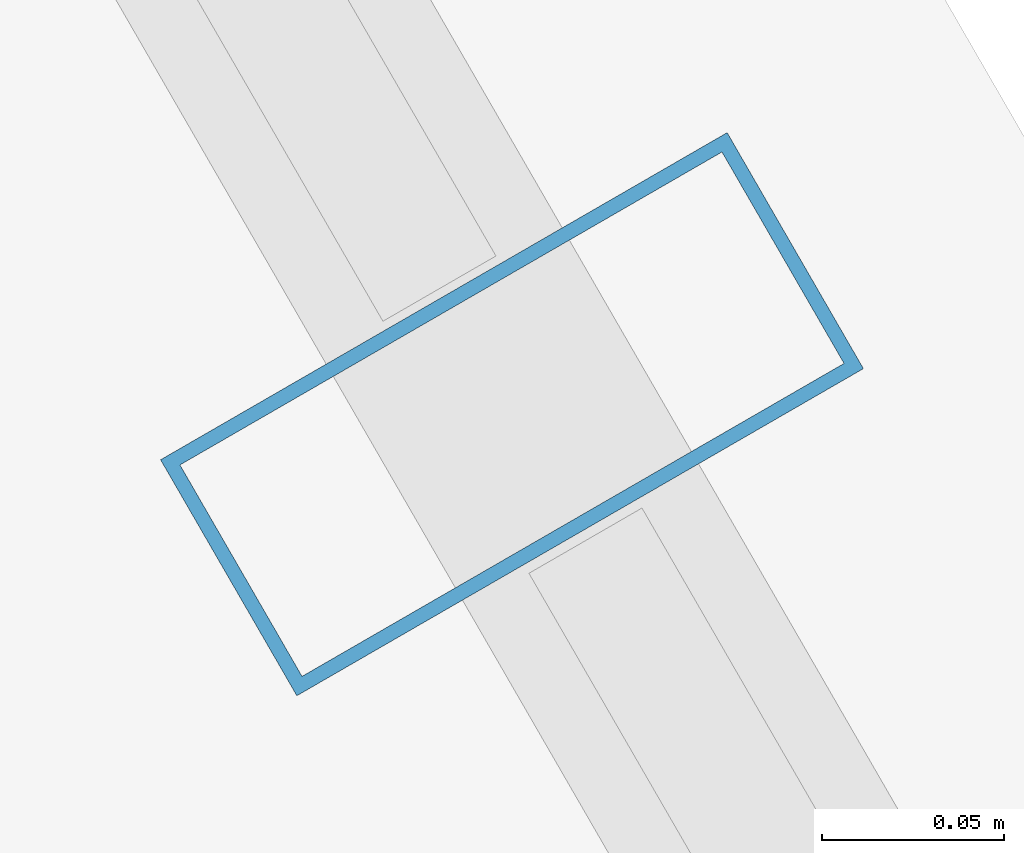
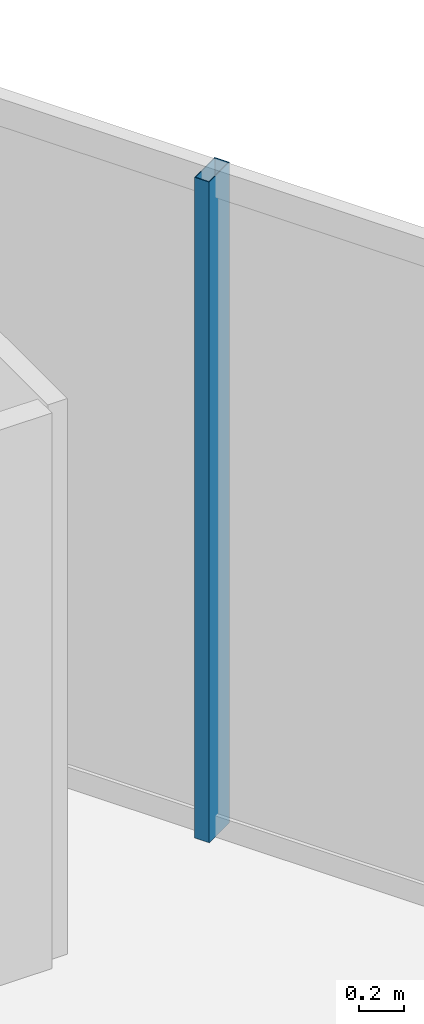
# One storey, part 15 of 30: 1 member, 1 element without a shape of its own.
"""IFC4 building model written with IfcOpenShell, lengths in metres."""

from ifc_helpers import new_model, si_unit, direction, frame, origin, origin_2d, place, context, subcontext, project, spatial, hollow_rectangle, extrude, material, layer, layer_set, material_profile, profile_set, type_object, element, aggregate, save


model = new_model("IFC4")

# Units and contexts
model_context = context("Model", 3, precision=1e-05, world=origin(), true_north=direction((0.0, 1.0)))
body_context = subcontext(model_context, "Body", "Model", "MODEL_VIEW")
ifc_project = project(units=[si_unit("LENGTHUNIT", "METRE"), si_unit("AREAUNIT", "SQUARE_METRE"), si_unit("VOLUMEUNIT", "CUBIC_METRE"), si_unit("PLANEANGLEUNIT", "RADIAN"), si_unit("MASSUNIT", "GRAM", prefix="KILO")], contexts=[model_context])

# Site, building, storey
site_placement = place(None, origin())
site = spatial("IfcSite", under=ifc_project, at=site_placement, CompositionType="ELEMENT")
building_placement = place(site_placement, origin())
building = spatial("IfcBuilding", under=site, at=building_placement, Name="Ndaravel Arena Tower", CompositionType="ELEMENT")
storey_placement = place(building_placement, frame((0.0, 0.0, 221.800048828125)))
storey = spatial("IfcBuildingStorey", under=building, at=storey_placement, Name="L53", CompositionType="ELEMENT", Elevation=221.800048828125)

# Curtain wall, member
ifc_material_1 = material(Name="Aluminium", Category="aluminium")
ifc_layer = layer(ifc_material_1, 0.179931640625)
ifc_layer_set = layer_set([ifc_layer], Name="Aluminium")
curtain_wall_type = type_object("IfcCurtainWallType", Name="CW-SYS-03", PredefinedType="NOTDEFINED", material=ifc_layer_set)
curtain_wall_placement = place(storey_placement, origin())
curtain_wall = element("IfcCurtainWall", 1, at=curtain_wall_placement, inside=storey, type_object=curtain_wall_type, Name="L53 Faceted Crystal Curtain Wall CW-L53-E03", PredefinedType="NOTDEFINED")
ifc_material_2 = material(Name="Aluminium", Category="aluminium")
ifc_material_profile = material_profile(ifc_material_2, hollow_rectangle(XDim=0.074951171875, YDim=0.179931640625, WallThickness=0.00390625, at=origin_2d()), Name="CW MULLION 75x180x4")
ifc_profile_set = profile_set([ifc_material_profile], Name="Aluminium")
member_type = type_object("IfcMemberType", Name="MEM-CW-MUL180", PredefinedType="MULLION", material=ifc_profile_set)
member_placement = place(storey_placement, frame((63.17578125, 15.658203125, 0.0), z_axis=(0.0, 0.0, 1.0), x_axis=(-0.5, 0.866025403784, 0.0)))
member = element("IfcMember", 2, at=member_placement, type_object=member_type, Name="CW-L53-E03 Mullion 01", PredefinedType="MULLION", context=body_context, shape_type="SweptSolid", body=[
    extrude(hollow_rectangle(XDim=0.074951171875, YDim=0.179931640625, WallThickness=0.00390625, at=origin_2d()), origin(), (0.0, 0.0, 1.0), 3.579833984375),
])
aggregate(curtain_wall, [member])

save(model, "model.ifc")
